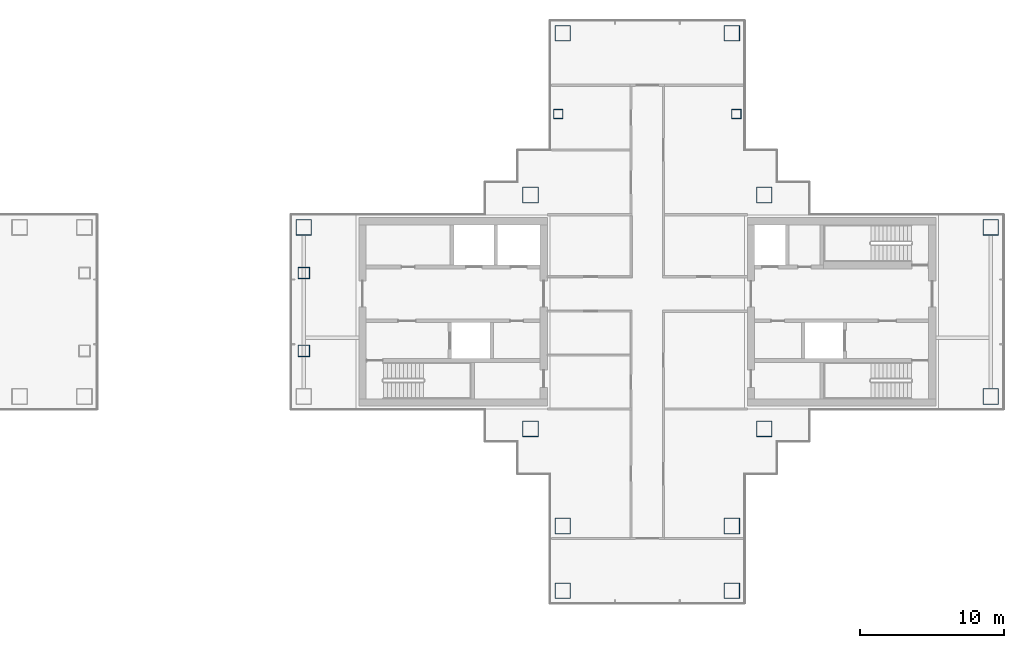
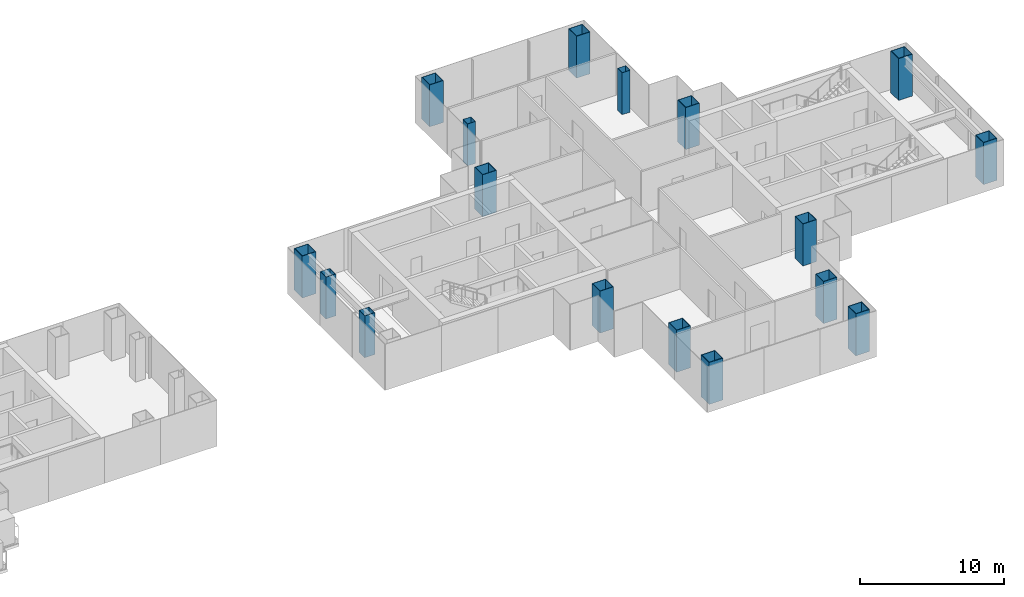
# One storey, part 2 of 16: 17 columns.
"""IFC4 building model written with IfcOpenShell, lengths in metres."""

from ifc_helpers import new_model, si_unit, direction, frame, origin, origin_2d, place, context, subcontext, project, spatial, hollow_rectangle, extrude, material, material_profile, profile_set, type_object, element, save


model = new_model("IFC4")

# Units and contexts
model_context = context("Model", 3, precision=1e-05, world=origin(), true_north=direction((0.0, 1.0)))
body_context = subcontext(model_context, "Body", "Model", "MODEL_VIEW")
ifc_project = project(units=[si_unit("LENGTHUNIT", "METRE"), si_unit("AREAUNIT", "SQUARE_METRE"), si_unit("VOLUMEUNIT", "CUBIC_METRE"), si_unit("PLANEANGLEUNIT", "RADIAN"), si_unit("MASSUNIT", "GRAM", prefix="KILO")], contexts=[model_context])

# Site, building, storey
site_placement = place(None, origin())
site = spatial("IfcSite", under=ifc_project, at=site_placement, CompositionType="ELEMENT")
building_placement = place(site_placement, origin())
building = spatial("IfcBuilding", under=site, at=building_placement, Name="Shamsa Quay Exchange Towers", CompositionType="ELEMENT")
storey_placement = place(building_placement, frame((0.0, 0.0, 158.39990234375)))
storey = spatial("IfcBuildingStorey", under=building, at=storey_placement, Name="L37", CompositionType="ELEMENT", Elevation=158.39990234375)

# Columns
ifc_material_1 = material(Name="Concrete-filled steel tube S355 / C80/95", Category="concrete")
ifc_material_profile_1 = material_profile(ifc_material_1, hollow_rectangle(XDim=1.10009765625, YDim=1.10009765625, WallThickness=0.0400390625, at=origin_2d()), Name="CFT 1100x1100x40")
ifc_profile_set_1 = profile_set([ifc_material_profile_1], Name="Concrete-filled steel tube S355 / C80/95")
column_type_1 = type_object("IfcColumnType", Name="Column CFT 1100x1100x40", PredefinedType="COLUMN", material=ifc_profile_set_1)
for number, where, name in (
    (1, (25.625, 8.125, 0.0), "Mega column T2-CM01"),
    (2, (41.875, 8.125, 0.0), "Mega column T2-CM02"),
    (3, (25.625, -8.125, 0.0), "Mega column T2-CM03"),
    (4, (41.875, -8.125, 0.0), "Mega column T2-CM04"),
    (5, (39.625, 19.375, 0.0), "Mega column T2-CM06"),
    (6, (27.875, 19.375, 0.0), "Mega column T2-CM10"),
    (7, (39.625, -14.875, 0.0), "Mega column T2-CM13"),
    (8, (39.625, -19.375, 0.0), "Mega column T2-CM14"),
    (9, (27.875, -14.875, 0.0), "Mega column T2-CM16"),
    (10, (27.875, -19.375, 0.0), "Mega column T2-CM17"),
    (11, (9.875, 5.875, 0.0), "Mega column T2-CM20"),
    (12, (57.625, -5.875, 0.0), "Mega column T2-CM21"),
    (13, (57.625, 5.875, 0.0), "Mega column T2-CM23"),
):
    element("IfcColumn", number, at=place(storey_placement, frame(where)), inside=storey, type_object=column_type_1, Name=name, PredefinedType="COLUMN", context=body_context, shape_type="SweptSolid", body=[
        extrude(hollow_rectangle(XDim=1.10009765625, YDim=1.10009765625, WallThickness=0.0400390625, at=origin_2d()), origin(), (0.0, 0.0, 1.0), 3.550048828125),
    ])
ifc_material_2 = material(Name="Concrete-filled steel tube S355 / C60/75", Category="concrete")
ifc_material_profile_2 = material_profile(ifc_material_2, hollow_rectangle(XDim=0.64990234375, YDim=0.64990234375, WallThickness=0.02001953125, at=origin_2d()), Name="CFT 650x650x20")
ifc_profile_set_2 = profile_set([ifc_material_profile_2], Name="Concrete-filled steel tube S355 / C60/75")
column_type_2 = type_object("IfcColumnType", Name="Column CFT 650x650x20", PredefinedType="COLUMN", material=ifc_profile_set_2)
for number, where, name in (
    (14, (39.9375, 13.75, 0.0), "Perimeter column T2-CP05"),
    (15, (27.5625, 13.75, 0.0), "Perimeter column T2-CP09"),
):
    element("IfcColumn", number, at=place(storey_placement, frame(where)), inside=storey, type_object=column_type_2, Name=name, PredefinedType="COLUMN", context=body_context, shape_type="SweptSolid", body=[
        extrude(hollow_rectangle(XDim=0.64990234375, YDim=0.64990234375, WallThickness=0.02001953125, at=origin_2d()), origin(), (0.0, 0.0, 1.0), 3.550048828125),
    ])
ifc_material_3 = material(Name="Concrete-filled steel tube S355 / C70/85", Category="concrete")
ifc_material_profile_3 = material_profile(ifc_material_3, hollow_rectangle(XDim=0.800048828125, YDim=0.800048828125, WallThickness=0.030029296875, at=origin_2d()), Name="CFT 800x800x30")
ifc_profile_set_3 = profile_set([ifc_material_profile_3], Name="Concrete-filled steel tube S355 / C70/85")
column_type_3 = type_object("IfcColumnType", Name="Landing column CFT 800x800x30", PredefinedType="COLUMN", material=ifc_profile_set_3)
for number, where, name in (
    (16, (9.875, -2.699951171875, 0.0), "Landing column T2 S"),
    (17, (9.875, 2.699951171875, 0.0), "Landing column T2 N"),
):
    element("IfcColumn", number, at=place(storey_placement, frame(where)), inside=storey, type_object=column_type_3, Name=name, PredefinedType="COLUMN", context=body_context, shape_type="SweptSolid", body=[
        extrude(hollow_rectangle(XDim=0.800048828125, YDim=0.800048828125, WallThickness=0.030029296875, at=origin_2d()), origin(), (0.0, 0.0, 1.0), 3.550048828125),
    ])

save(model, "model.ifc")
